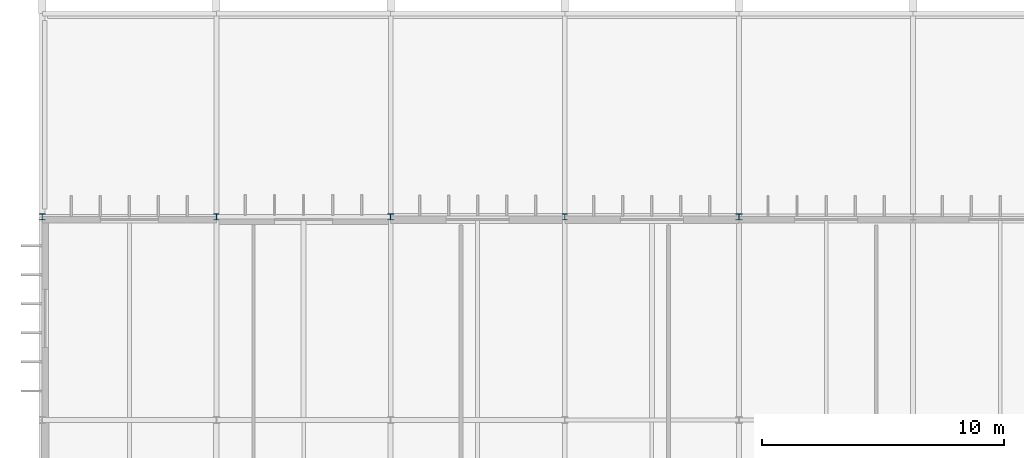
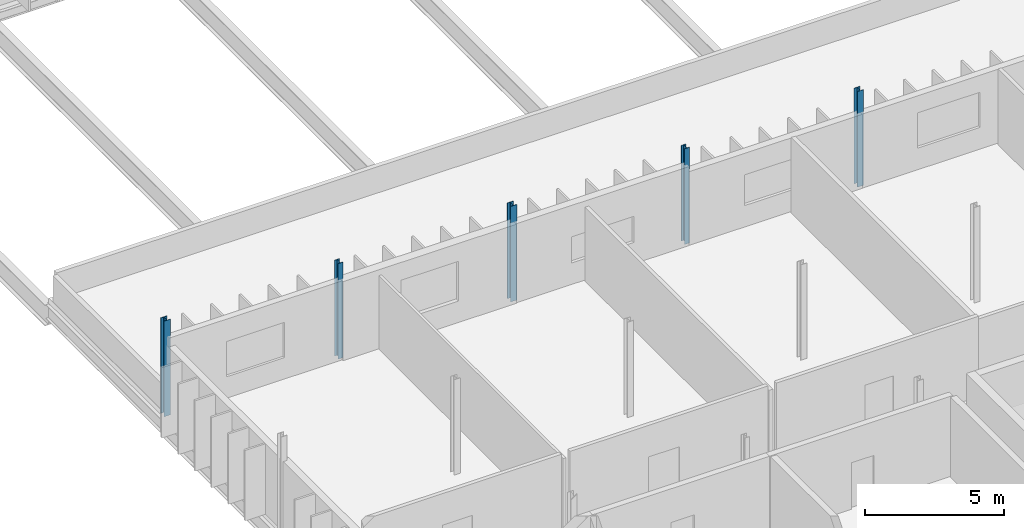
# One storey, part 4 of 119: 5 columns.
"""IFC4 building model written with IfcOpenShell, lengths in metres."""

from ifc_helpers import new_model, si_unit, direction, frame, origin, origin_2d, place, context, subcontext, project, spatial, i_section, extrude, material, material_profile, profile_set, type_object, element, save


model = new_model("IFC4")

# Units and contexts
model_context = context("Model", 3, precision=1e-05, world=origin(), true_north=direction((0.0, 1.0)))
body_context = subcontext(model_context, "Body", "Model", "MODEL_VIEW")
ifc_project = project(units=[si_unit("LENGTHUNIT", "METRE"), si_unit("AREAUNIT", "SQUARE_METRE"), si_unit("VOLUMEUNIT", "CUBIC_METRE"), si_unit("PLANEANGLEUNIT", "RADIAN"), si_unit("MASSUNIT", "GRAM", prefix="KILO")], contexts=[model_context])

# Site, building, storey
site_placement = place(None, origin())
site = spatial("IfcSite", under=ifc_project, at=site_placement, CompositionType="ELEMENT")
building_placement = place(site_placement, origin())
building = spatial("IfcBuilding", under=site, at=building_placement, Name="Qelthora Terrace Specialist Clinic", CompositionType="ELEMENT")
storey_placement = place(building_placement, frame((0.0, 0.0, 4.800048828125)))
storey = spatial("IfcBuildingStorey", under=building, at=storey_placement, Name="L01", CompositionType="ELEMENT", Elevation=4.800048828125)

# Columns
ifc_material = material(Name="Steel S355", Category="steel")
ifc_material_profile_1 = material_profile(ifc_material, i_section(OverallWidth=0.2041015625, OverallDepth=0.257080078125, WebThickness=0.0087890625, FlangeThickness=0.015625, FilletRadius=0.012939453125, at=origin_2d()), Name="W250X67")
ifc_profile_set_1 = profile_set([ifc_material_profile_1], Name="Steel S355")
column_type_1 = type_object("IfcColumnType", Name="COL-W250X67", PredefinedType="COLUMN", material=ifc_profile_set_1)
for number, where, z_axis, x_axis, name in (
    (1, (7.199951171875, 33.60009765625, 0.0), (0.0, 0.0, 1.0), (1.0, 0.0, 0.0), "Column L01-019"),
    (2, (21.60009765625, 33.60009765625, 0.0), (0.0, 0.0, 1.0), (1.0, 0.0, 0.0), "Column L01-047"),
):
    element("IfcColumn", number, at=place(storey_placement, frame(where, z_axis=z_axis, x_axis=x_axis)), inside=storey, type_object=column_type_1, Name=name, PredefinedType="COLUMN", context=body_context, shape_type="SweptSolid", body=[
        extrude(i_section(OverallWidth=0.2041015625, OverallDepth=0.257080078125, WebThickness=0.0087890625, FlangeThickness=0.015625, FilletRadius=0.012939453125, at=origin_2d()), origin(), (0.0, 0.0, 1.0), 4.199951171875),
    ])
ifc_material_profile_2 = material_profile(ifc_material, i_section(OverallWidth=0.25390625, OverallDepth=0.2529296875, WebThickness=0.008544921875, FlangeThickness=0.01416015625, FilletRadius=0.012939453125, at=origin_2d()), Name="W250X73")
ifc_profile_set_2 = profile_set([ifc_material_profile_2], Name="Steel S355")
column_type_2 = type_object("IfcColumnType", Name="COL-W250X73", PredefinedType="COLUMN", material=ifc_profile_set_2)
column_placement = place(storey_placement, frame((28.800048828125, 33.60009765625, 0.0), z_axis=(0.0, 0.0, 1.0), x_axis=(1.0, 0.0, 0.0)))
element("IfcColumn", 3, at=column_placement, inside=storey, type_object=column_type_2, Name="Column L01-058", PredefinedType="COLUMN", context=body_context, shape_type="SweptSolid", body=[
    extrude(i_section(OverallWidth=0.25390625, OverallDepth=0.2529296875, WebThickness=0.008544921875, FlangeThickness=0.01416015625, FilletRadius=0.012939453125, at=origin_2d()), origin(), (0.0, 0.0, 1.0), 4.199951171875),
])
ifc_material_profile_3 = material_profile(ifc_material, i_section(OverallWidth=0.2548828125, OverallDepth=0.256103515625, WebThickness=0.009521484375, FlangeThickness=0.015625, FilletRadius=0.012939453125, at=origin_2d()), Name="W250X80")
ifc_profile_set_3 = profile_set([ifc_material_profile_3], Name="Steel S355")
column_type_3 = type_object("IfcColumnType", Name="COL-W250X80", PredefinedType="COLUMN", material=ifc_profile_set_3)
for number, where, z_axis, x_axis, name in (
    (4, (0.0, 33.60009765625, 0.0), (0.0, 0.0, 1.0), (1.0, 0.0, 0.0), "Column L01-005"),
    (5, (14.39990234375, 33.60009765625, 0.0), (0.0, 0.0, 1.0), (1.0, 0.0, 0.0), "Column L01-033"),
):
    element("IfcColumn", number, at=place(storey_placement, frame(where, z_axis=z_axis, x_axis=x_axis)), inside=storey, type_object=column_type_3, Name=name, PredefinedType="COLUMN", context=body_context, shape_type="SweptSolid", body=[
        extrude(i_section(OverallWidth=0.2548828125, OverallDepth=0.256103515625, WebThickness=0.009521484375, FlangeThickness=0.015625, FilletRadius=0.012939453125, at=origin_2d()), origin(), (0.0, 0.0, 1.0), 4.199951171875),
    ])

save(model, "model.ifc")
